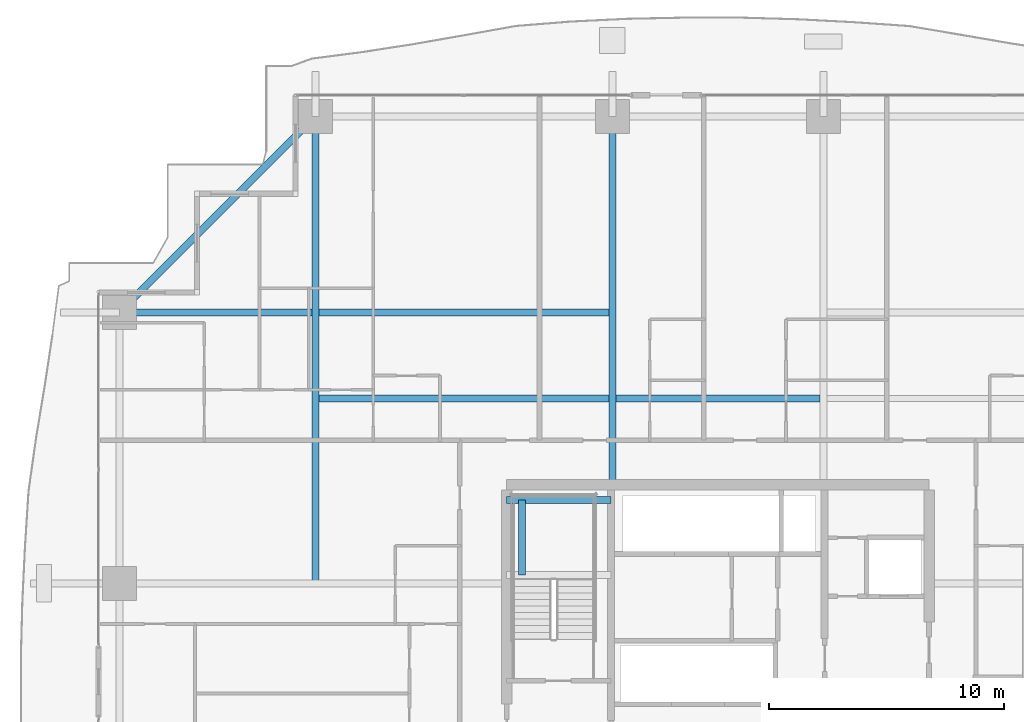
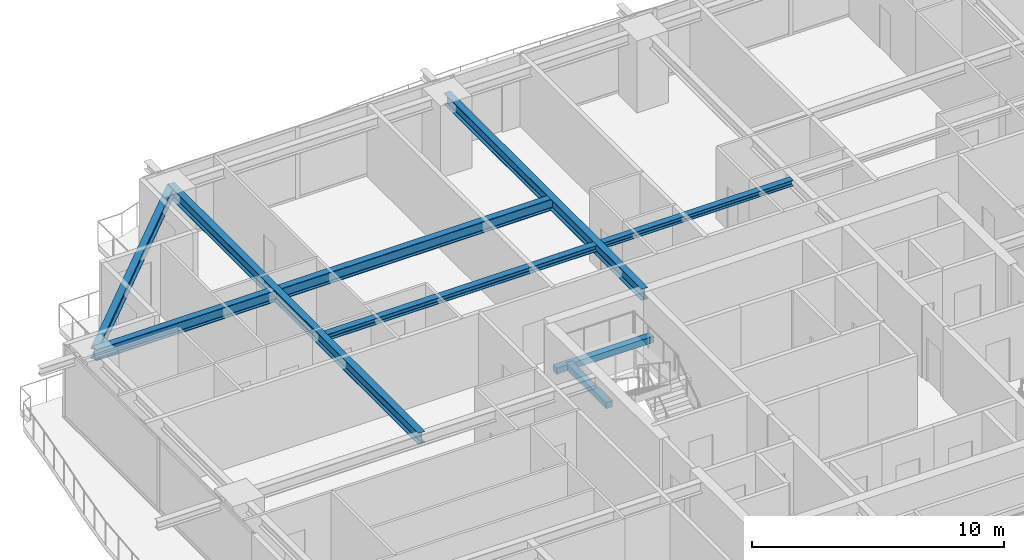
# One storey, part 16 of 34: 8 beams.
"""IFC4 building model written with IfcOpenShell, lengths in metres."""

from ifc_helpers import new_model, si_unit, direction, frame, origin, origin_2d, place, context, subcontext, project, spatial, rectangle, i_section, extrude, source, transform, mapped, material, material_profile, profile_set, type_object, element, save


model = new_model("IFC4")

# Units and contexts
model_context = context("Model", 3, precision=1e-05, world=origin(), true_north=direction((0.0, 1.0)))
body_context = subcontext(model_context, "Body", "Model", "MODEL_VIEW")
ifc_project = project(units=[si_unit("LENGTHUNIT", "METRE"), si_unit("AREAUNIT", "SQUARE_METRE"), si_unit("VOLUMEUNIT", "CUBIC_METRE"), si_unit("PLANEANGLEUNIT", "RADIAN"), si_unit("MASSUNIT", "GRAM", prefix="KILO")], contexts=[model_context])

# Site, building, storey
site_placement = place(None, origin())
site = spatial("IfcSite", under=ifc_project, at=site_placement, CompositionType="ELEMENT")
building_placement = place(site_placement, origin())
building = spatial("IfcBuilding", under=site, at=building_placement, Name="Serunith Strait Residences", CompositionType="ELEMENT")
storey_placement = place(building_placement, frame((0.0, 0.0, 101.699951171875)))
storey = spatial("IfcBuildingStorey", under=building, at=storey_placement, Name="L25", CompositionType="ELEMENT", Elevation=101.699951171875)

# Beams
ifc_material_1 = material(Name="Steel S355J2", Category="steel")
ifc_material_profile_1 = material_profile(ifc_material_1, i_section(OverallWidth=0.300048828125, OverallDepth=0.550048828125, WebThickness=0.014892578125, FlangeThickness=0.029052734375, FilletRadius=0.027099609375, at=origin_2d()), Name="HEB 550")
ifc_profile_set_1 = profile_set([ifc_material_profile_1], Name="Steel S355J2")
beam_type_1 = type_object("IfcBeamType", Name="BM-HEB550", PredefinedType="BEAM", material=ifc_profile_set_1)
shared_shape_1 = source(origin(), body_context, "Body", "SweptSolid", [
    extrude(i_section(OverallWidth=0.300048828125, OverallDepth=0.550048828125, WebThickness=0.014892578125, FlangeThickness=0.029052734375, FilletRadius=0.027099609375, at=origin_2d()), origin(), (0.0, 0.0, 1.0), 15.699951171875),
])
beam_1_placement = place(storey_placement, frame((27.89990234375, 33.60009765625, 3.212158203125), z_axis=(0.0, 1.0, 0.0), x_axis=(-1.0, 0.0, 0.0)))
element("IfcBeam", 1, at=beam_1_placement, inside=storey, type_object=beam_type_1, Name="L25 Primary Floor Girder TC-N2", PredefinedType="BEAM", context=body_context, shape_type="MappedRepresentation", body=[
    mapped(shared_shape_1, transform((0.0, 0.0, 0.0), scale=1.0)),
])
shared_shape_2 = source(origin(), body_context, "Body", "SweptSolid", [
    extrude(i_section(OverallWidth=0.300048828125, OverallDepth=0.550048828125, WebThickness=0.014892578125, FlangeThickness=0.029052734375, FilletRadius=0.027099609375, at=origin_2d()), origin(), (0.0, 0.0, 1.0), 19.900146484375),
])
beam_2_placement = place(storey_placement, frame((15.25, 29.39990234375, 3.212158203125), z_axis=(0.0, 1.0, 0.0), x_axis=(-1.0, 0.0, 0.0)))
element("IfcBeam", 2, at=beam_2_placement, inside=storey, type_object=beam_type_1, Name="L25 Orthogonal Corner Girder TC-N1", PredefinedType="BEAM", context=body_context, shape_type="MappedRepresentation", body=[
    mapped(shared_shape_2, transform((0.0, 0.0, 0.0), scale=1.0)),
])
shared_shape_3 = source(origin(), body_context, "Body", "SweptSolid", [
    extrude(i_section(OverallWidth=0.300048828125, OverallDepth=0.550048828125, WebThickness=0.014892578125, FlangeThickness=0.029052734375, FilletRadius=0.027099609375, at=origin_2d()), origin(), (0.0, 0.0, 1.0), 21.0),
])
beam_3_placement = place(storey_placement, frame((27.89990234375, 40.949951171875, 3.212158203125), z_axis=(-1.0, 0.0, 0.0), x_axis=(0.0, -1.0, 0.0)))
element("IfcBeam", 3, at=beam_3_placement, inside=storey, type_object=beam_type_1, Name="L25 Orthogonal Corner Girder TC-W4", PredefinedType="BEAM", context=body_context, shape_type="MappedRepresentation", body=[
    mapped(shared_shape_3, transform((0.0, 0.0, 0.0), scale=1.0)),
])
ifc_material_profile_2 = material_profile(ifc_material_1, i_section(OverallWidth=0.300048828125, OverallDepth=0.5, WebThickness=0.014404296875, FlangeThickness=0.028076171875, FilletRadius=0.027099609375, at=origin_2d()), Name="HEB 500")
ifc_profile_set_2 = profile_set([ifc_material_profile_2], Name="Steel S355J2")
beam_type_2 = type_object("IfcBeamType", Name="BM-HEB500", PredefinedType="BEAM", material=ifc_profile_set_2)
shared_shape_4 = source(origin(), body_context, "Body", "SweptSolid", [
    extrude(i_section(OverallWidth=0.300048828125, OverallDepth=0.5, WebThickness=0.014404296875, FlangeThickness=0.028076171875, FilletRadius=0.027099609375, at=origin_2d()), origin(), (0.0, 0.0, 1.0), 11.808837890625),
])
beam_4_placement = place(storey_placement, frame((15.25, 49.300048828125, 3.20703125), z_axis=(-0.707106781187, -0.707106781187, 0.0), x_axis=(0.707106781187, -0.707106781187, 0.0)))
element("IfcBeam", 4, at=beam_4_placement, inside=storey, type_object=beam_type_2, Name="L25 Perimeter Ring Beam 12", PredefinedType="BEAM", context=body_context, shape_type="MappedRepresentation", body=[
    mapped(shared_shape_4, transform((0.0, 0.0, 0.0), scale=1.0)),
])
ifc_material_profile_3 = material_profile(ifc_material_1, i_section(OverallWidth=0.300048828125, OverallDepth=0.300048828125, WebThickness=0.010986328125, FlangeThickness=0.01904296875, FilletRadius=0.027099609375, at=origin_2d()), Name="HEB 300")
ifc_profile_set_3 = profile_set([ifc_material_profile_3], Name="Steel S355J2")
beam_type_3 = type_object("IfcBeamType", Name="BM-HEB300", PredefinedType="JOIST", material=ifc_profile_set_3)
shared_shape_5 = source(origin(), body_context, "Body", "SweptSolid", [
    extrude(i_section(OverallWidth=0.300048828125, OverallDepth=0.300048828125, WebThickness=0.010986328125, FlangeThickness=0.01904296875, FilletRadius=0.027099609375, at=origin_2d()), origin(), (0.0, 0.0, 1.0), 12.35009765625),
])
beam_5_placement = place(storey_placement, frame((15.39990234375, 37.27490234375, 3.337158203125), z_axis=(1.0, 0.0, 0.0), x_axis=(0.0, 1.0, 0.0)))
element("IfcBeam", 5, at=beam_5_placement, inside=storey, type_object=beam_type_3, Name="L25 Composite Floor Joist 04", PredefinedType="JOIST", context=body_context, shape_type="MappedRepresentation", body=[
    mapped(shared_shape_5, transform((0.0, 0.0, 0.0), scale=1.0)),
])
ifc_material_profile_4 = material_profile(ifc_material_1, i_section(OverallWidth=0.280029296875, OverallDepth=0.280029296875, WebThickness=0.010498046875, FlangeThickness=0.01806640625, FilletRadius=0.02392578125, at=origin_2d()), Name="HEB 280")
ifc_profile_set_4 = profile_set([ifc_material_profile_4], Name="Steel S355J2")
beam_type_4 = type_object("IfcBeamType", Name="BM-HEB280", PredefinedType="JOIST", material=ifc_profile_set_4)
shared_shape_6 = source(origin(), body_context, "Body", "SweptSolid", [
    extrude(i_section(OverallWidth=0.280029296875, OverallDepth=0.280029296875, WebThickness=0.010498046875, FlangeThickness=0.01806640625, FilletRadius=0.02392578125, at=origin_2d()), origin(), (0.0, 0.0, 1.0), 8.699951171875),
])
beam_6_placement = place(storey_placement, frame((28.050048828125, 37.27490234375, 3.34716796875), z_axis=(1.0, 0.0, 0.0), x_axis=(0.0, 1.0, 0.0)))
element("IfcBeam", 6, at=beam_6_placement, inside=storey, type_object=beam_type_4, Name="L25 Composite Floor Joist 05", PredefinedType="JOIST", context=body_context, shape_type="MappedRepresentation", body=[
    mapped(shared_shape_6, transform((0.0, 0.0, 0.0), scale=1.0)),
])
ifc_material_2 = material(Name="Concrete C60/75", Category="concrete")
ifc_material_profile_5 = material_profile(ifc_material_2, rectangle(XDim=0.300048828125, YDim=0.300048828125, at=origin_2d()), Name="RC 300x300")
ifc_profile_set_5 = profile_set([ifc_material_profile_5], Name="Concrete C60/75")
beam_type_5 = type_object("IfcBeamType", Name="BM-LAND-300x300", PredefinedType="BEAM", material=ifc_profile_set_5)
shared_shape_7 = source(origin(), body_context, "Body", "SweptSolid", [
    extrude(rectangle(XDim=0.300048828125, YDim=0.300048828125, at=origin_2d()), origin(), (0.0, 0.0, 1.0), 4.4501953125),
])
beam_7_placement = place(storey_placement, frame((23.39990234375, 32.949951171875, 1.525146484375), z_axis=(1.0, 0.0, 0.0), x_axis=(0.0, 1.0, 0.0)))
element("IfcBeam", 7, at=beam_7_placement, inside=storey, type_object=beam_type_5, Name="L25 ST-1 Landing Support Beam 2", PredefinedType="BEAM", context=body_context, shape_type="MappedRepresentation", body=[
    mapped(shared_shape_7, transform((0.0, 0.0, 0.0), scale=1.0)),
])
shared_shape_8 = source(origin(), body_context, "Body", "SweptSolid", [
    extrude(rectangle(XDim=0.300048828125, YDim=0.300048828125, at=origin_2d()), origin(), (0.0, 0.0, 1.0), 3.199951171875),
])
beam_8_placement = place(storey_placement, frame((24.050048828125, 29.75, 1.525146484375), z_axis=(0.0, 1.0, 0.0), x_axis=(-1.0, 0.0, 0.0)))
element("IfcBeam", 8, at=beam_8_placement, inside=storey, type_object=beam_type_5, Name="L25 ST-1 Landing Transverse Tie Beam", PredefinedType="BEAM", context=body_context, shape_type="MappedRepresentation", body=[
    mapped(shared_shape_8, transform((0.0, 0.0, 0.0), scale=1.0)),
])

save(model, "model.ifc")
